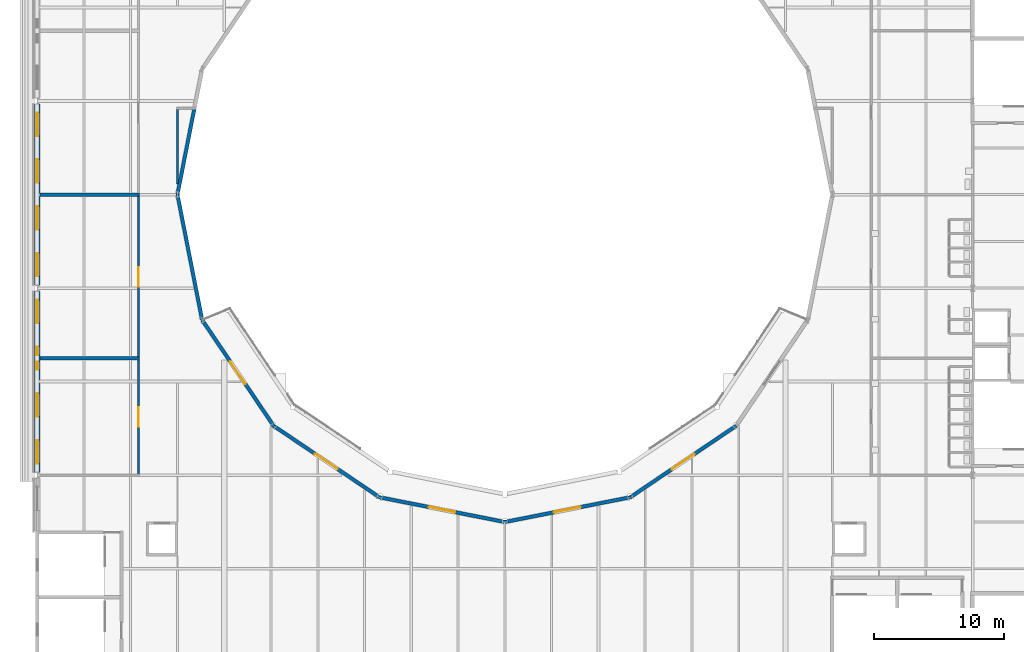
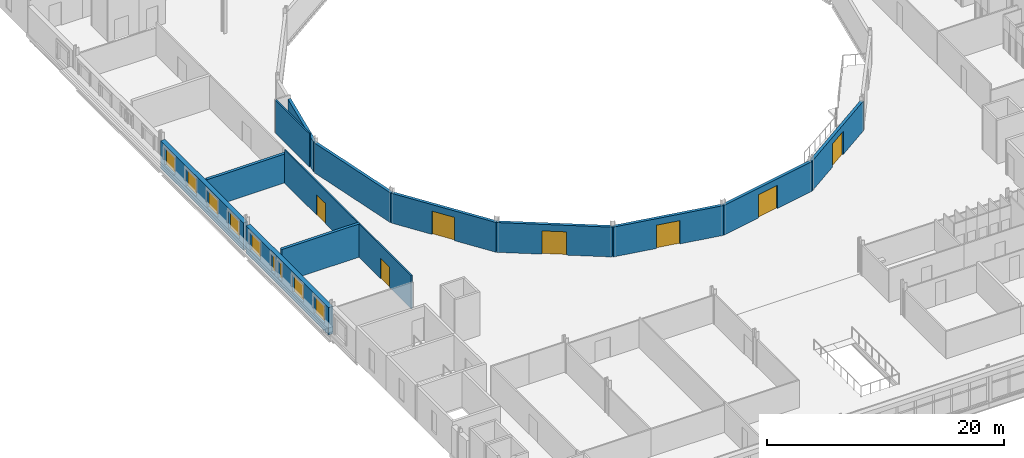
# One storey, part 90 of 142: 14 walls, 9 windows, 7 doors, 16 openings.
"""IFC4 building model written with IfcOpenShell, lengths in metres."""

import ifcopenshell
import ifcopenshell.guid

model = None  # the IFC model being written
_history = None  # IfcOwnerHistory: only IFC2X3 demands one
_inside = {}  # id of a spatial element -> (the spatial element, [elements in it])
_under = {}  # id of a project, library or spatial element -> (it, [spatial elements below it])
_declared = {}  # id of a project -> (the project, [libraries it declares])
_typed = {}  # id of a type object -> (the type object, [elements of that type])
_made_of = {}  # id of a material, layer set ... -> (it, [elements and type objects made of it])


def new_model(schema):
    """Start an empty IFC model of exactly this schema.

    Asked for "IFC4X3", IfcOpenShell would pick the latest addendum, in which some entities
    have other attributes; the version numbers below select the first issue.
    IFC2X3 requires an IfcOwnerHistory on every rooted entity: one is made here for all.
    """
    global model, _history
    if schema == "IFC4X3":
        model = ifcopenshell.file(schema_version=(4, 3, 0, 0))
    else:
        model = ifcopenshell.file(schema=schema)
    _inside.clear()
    _under.clear()
    _declared.clear()
    _typed.clear()
    _made_of.clear()
    _history = None
    if model.schema == "IFC2X3":
        org = make("IfcOrganization", Name="unknown")
        user = make(
            "IfcPersonAndOrganization",
            ThePerson=make("IfcPerson", FamilyName="unknown"),
            TheOrganization=org,
        )
        app = make(
            "IfcApplication",
            ApplicationDeveloper=org,
            Version="unknown",
            ApplicationFullName="unknown",
            ApplicationIdentifier="unknown",
        )
        _history = make(
            "IfcOwnerHistory",
            OwningUser=user,
            OwningApplication=app,
            ChangeAction="ADDED",
            CreationDate=0,
        )
    return model


def make(cls, **values):
    """One entity of the class cls with the attributes given. An attribute that is None is left unset."""
    return model.create_entity(
        cls, **{name: value for name, value in values.items() if value is not None}
    )


def rooted(cls, **values):
    """An entity with a GlobalId (a new one), such as an element, a storey or a relation."""
    return make(cls, GlobalId=ifcopenshell.guid.new(), OwnerHistory=_history, **values)


def si_unit(unit_type, name, prefix=None):
    """IfcSIUnit, for example si_unit("LENGTHUNIT", "METRE", prefix="MILLI")."""
    return make("IfcSIUnit", UnitType=unit_type, Prefix=prefix, Name=name)


def assignment(units):
    """IfcUnitAssignment: the units of a project."""
    return None if units is None else make("IfcUnitAssignment", Units=units)


def point(xyz):
    """IfcCartesianPoint."""
    return None if xyz is None else make("IfcCartesianPoint", Coordinates=xyz)


def direction(xyz):
    """IfcDirection."""
    return None if xyz is None else make("IfcDirection", DirectionRatios=xyz)


def frame(location, z_axis=None, x_axis=None):
    """IfcAxis2Placement3D, a coordinate frame: its origin and axes. An axis left out is left unset."""
    return make(
        "IfcAxis2Placement3D",
        Location=point(location),
        Axis=direction(z_axis),
        RefDirection=direction(x_axis),
    )


def frame_2d(location, x_axis=None):
    """IfcAxis2Placement2D, a coordinate frame in the plane: its origin and x axis."""
    return make(
        "IfcAxis2Placement2D", Location=point(location), RefDirection=direction(x_axis)
    )


def origin():
    """The frame at (0, 0, 0) with its axes left unset."""
    return frame((0.0, 0.0, 0.0))


def place(relative_to, where):
    """IfcLocalPlacement: puts the frame where relative to a parent placement (None: the world)."""
    return make(
        "IfcLocalPlacement", PlacementRelTo=relative_to, RelativePlacement=where
    )


def context(
    kind, dimensions, precision=None, world=None, true_north=None, identifier=None
):
    """IfcGeometricRepresentationContext, for example the 3D "Model" context."""
    return make(
        "IfcGeometricRepresentationContext",
        ContextIdentifier=identifier,
        ContextType=kind,
        CoordinateSpaceDimension=dimensions,
        Precision=precision,
        WorldCoordinateSystem=world,
        TrueNorth=true_north,
    )


def subcontext(parent, identifier, kind, view, scale=None):
    """IfcGeometricRepresentationSubContext, for example "Body" below "Model"."""
    return make(
        "IfcGeometricRepresentationSubContext",
        ContextIdentifier=identifier,
        ContextType=kind,
        ParentContext=parent,
        TargetScale=scale,
        TargetView=view,
    )


def project(units=None, contexts=None):
    """IfcProject with its units and contexts."""
    return rooted(
        "IfcProject",
        Name="project",
        RepresentationContexts=contexts,
        UnitsInContext=assignment(units),
    )


def spatial(cls, under=None, at=None, **own):
    """A site, building, storey or space (cls), placed at a placement, below another one or the project."""
    s = rooted(cls, ObjectPlacement=at, **own)
    if under is not None:
        _under.setdefault(under.id(), (under, []))[1].append(s)
    return s


def profile(cls, at=None, kind="AREA", **sizes):
    """A parametric profile (cls). Its sizes go by their IFC names, for example OverallWidth=200.0."""
    return make(cls, ProfileType=kind, Position=at, **sizes)


def rectangle(**sizes):
    """IfcRectangleProfileDef."""
    return profile("IfcRectangleProfileDef", **sizes)


def extrude(swept, where, along, depth):
    """IfcExtrudedAreaSolid: the profile swept, set in the frame where, extruded along a direction by depth."""
    return make(
        "IfcExtrudedAreaSolid",
        SweptArea=swept,
        Position=where,
        ExtrudedDirection=direction(along),
        Depth=depth,
    )


def shape(context_of_items, identifier, shape_type, items):
    """IfcShapeRepresentation: the items that make up one representation, for example the "Body"."""
    return make(
        "IfcShapeRepresentation",
        ContextOfItems=context_of_items,
        RepresentationIdentifier=identifier,
        RepresentationType=shape_type,
        Items=items,
    )


def material(Name=None, Category=None):
    """IfcMaterial."""
    return make("IfcMaterial", Name=Name, Category=Category)


def layer(
    of_material, thickness, ventilated=None, Name=None, Category=None, Priority=None
):
    """IfcMaterialLayer: one layer of a wall or slab, of a material (None: an air gap)."""
    return make(
        "IfcMaterialLayer",
        Material=of_material,
        LayerThickness=thickness,
        IsVentilated=ventilated,
        Name=Name,
        Category=Category,
        Priority=Priority,
    )


def layer_set(layers, Name=None):
    """IfcMaterialLayerSet."""
    return make("IfcMaterialLayerSet", MaterialLayers=layers, LayerSetName=Name)


def made_of(thing, what):
    """Note that an element or type object is made of a material, layer set ...; save() writes the relation."""
    if what is not None:
        _made_of.setdefault(what.id(), (what, []))[1].append(thing)
    return thing


def type_object(cls, material=None, **own):
    """A type object (cls), such as IfcWallType, which elements share."""
    return made_of(rooted(cls, **own), material)


def element(
    cls,
    number,
    at=None,
    inside=None,
    cuts=None,
    type_object=None,
    material=None,
    context=None,
    identifier="Body",
    shape_type=None,
    held_by="IfcProductDefinitionShape",
    body=None,
    shapes=None,
    **own,
):
    """One element of the class cls, such as IfcWall. Its Tag is "e" and its number.

    at: its placement. inside: the storey or other place that contains it. cuts: it is an
    opening in that element (IfcRelVoidsElement). A single representation is given by context,
    identifier, shape_type and body (its items); several are given by shapes. held_by: the class
    of the entity that holds the representations. save() writes the other relations.
    """
    e = rooted(cls, Tag="e%d" % number, ObjectPlacement=at, **own)
    if body is not None:
        shapes = [shape(context, identifier, shape_type, body)]
    if shapes is not None:
        e.Representation = make(held_by, Representations=shapes)
    if inside is not None:
        _inside.setdefault(inside.id(), (inside, []))[1].append(e)
    if cuts is not None:
        rooted(
            "IfcRelVoidsElement", RelatingBuildingElement=cuts, RelatedOpeningElement=e
        )
    if type_object is not None:
        _typed.setdefault(type_object.id(), (type_object, []))[1].append(e)
    return made_of(e, material)


def fill(opening, filler):
    """IfcRelFillsElement: the door or window that sits in an opening."""
    return rooted(
        "IfcRelFillsElement",
        RelatingOpeningElement=opening,
        RelatedBuildingElement=filler,
    )


def aggregate(whole, parts):
    """IfcRelAggregates: a whole, such as a stair, and the parts it consists of."""
    return rooted("IfcRelAggregates", RelatingObject=whole, RelatedObjects=parts)


def save(model, path):
    """Write the relations noted so far, then the file.

    IfcRelAggregates (storeys below a building ...), IfcRelContainedInSpatialStructure (elements
    in a storey), IfcRelDefinesByType, IfcRelAssociatesMaterial and IfcRelDeclares: one each for
    every whole, place, type object, material and project.
    """
    for whole, parts in _under.values():
        aggregate(whole, parts)
    for where, things in _inside.values():
        rooted(
            "IfcRelContainedInSpatialStructure",
            RelatedElements=things,
            RelatingStructure=where,
        )
    for kind, things in _typed.values():
        rooted("IfcRelDefinesByType", RelatedObjects=things, RelatingType=kind)
    for what, things in _made_of.values():
        rooted("IfcRelAssociatesMaterial", RelatedObjects=things, RelatingMaterial=what)
    for by, libraries in _declared.values():
        rooted("IfcRelDeclares", RelatingContext=by, RelatedDefinitions=libraries)
    model.write(path)


model = new_model("IFC4")

# Units and contexts
model_context = context("Model", 3, precision=1e-05, world=origin(), true_north=direction((0.0, 1.0)))
body_context = subcontext(model_context, "Body", "Model", "MODEL_VIEW")
ifc_project = project(units=[si_unit("LENGTHUNIT", "METRE"), si_unit("AREAUNIT", "SQUARE_METRE"), si_unit("VOLUMEUNIT", "CUBIC_METRE"), si_unit("PLANEANGLEUNIT", "RADIAN"), si_unit("MASSUNIT", "GRAM", prefix="KILO")], contexts=[model_context])

# Site, building, storey
site_placement = place(None, origin())
site = spatial("IfcSite", under=ifc_project, at=site_placement, CompositionType="ELEMENT")
building_placement = place(site_placement, origin())
building = spatial("IfcBuilding", under=site, at=building_placement, Name="Kupolbacken Congress Centre", CompositionType="ELEMENT")
storey_placement = place(building_placement, frame((0.0, 0.0, 14.39990234375)))
storey = spatial("IfcBuildingStorey", under=building, at=storey_placement, Name="L04", CompositionType="ELEMENT", Elevation=14.39990234375)

# Wall, openings, windows
ifc_material_1 = material(Name="Limestone", Category="masonry")
ifc_layer_1 = layer(ifc_material_1, 0.1201171875)
ifc_material_2 = material(Name="Air cavity", Category="air")
ifc_layer_2 = layer(ifc_material_2, 0.0400390625, ventilated=True)
ifc_material_3 = material(Name="Mineral wool", Category="insulation")
ifc_layer_3 = layer(ifc_material_3, 0.159912109375)
ifc_material_4 = material(Name="Concrete block", Category="masonry")
ifc_layer_4 = layer(ifc_material_4, 0.1201171875)
ifc_layer_set_1 = layer_set([ifc_layer_1, ifc_layer_2, ifc_layer_3, ifc_layer_4], Name="Limestone / Mineral wool / Concrete block")
wall_type_1 = type_object("IfcWallType", Name="EW05 external cavity wall 440", PredefinedType="SOLIDWALL", material=ifc_layer_set_1)
wall_1_placement = place(storey_placement, frame((7.199951171875, 93.375, 0.0), z_axis=(0.0, 0.0, 1.0), x_axis=(0.0, -1.0, 0.0)))
wall_1 = element("IfcWall", 1, at=wall_1_placement, inside=storey, type_object=wall_type_1, Name="E/P/W/L04/452", PredefinedType="SOLIDWALL", context=body_context, shape_type="SweptSolid", body=[
    extrude(rectangle(XDim=13.949951171875, YDim=0.43994140625, at=frame_2d((6.97509765625, 0.0))), origin(), (0.0, 0.0, 1.0), 2.820068359375),
])
opening_1_placement = place(wall_1_placement, frame((11.47509765625, 0.0, 0.75)))
opening_1 = element("IfcOpeningElement", 2, at=opening_1_placement, cuts=wall_1, Name="Opening W7", PredefinedType="OPENING", context=body_context, shape_type="SweptSolid", body=[
    extrude(rectangle(XDim=1.800048828125, YDim=1.800048828125, at=frame_2d((0.89990234375, 0.89990234375))), frame((0.0, 0.22998046875, 0.0), z_axis=(0.0, -1.0, 0.0), x_axis=(1.0, 0.0, 0.0)), (0.0, 0.0, 1.0), 0.4599609375),
])
opening_2_placement = place(wall_1_placement, frame((7.875, 0.0, 0.75)))
opening_2 = element("IfcOpeningElement", 3, at=opening_2_placement, cuts=wall_1, Name="Opening W7", PredefinedType="OPENING", context=body_context, shape_type="SweptSolid", body=[
    extrude(rectangle(XDim=1.800048828125, YDim=1.800048828125, at=frame_2d((0.89990234375, 0.89990234375))), frame((0.0, 0.22998046875, 0.0), z_axis=(0.0, -1.0, 0.0), x_axis=(1.0, 0.0, 0.0)), (0.0, 0.0, 1.0), 0.4599609375),
])
opening_3_placement = place(wall_1_placement, frame((4.27490234375, 0.0, 0.75)))
opening_3 = element("IfcOpeningElement", 4, at=opening_3_placement, cuts=wall_1, Name="Opening W7", PredefinedType="OPENING", context=body_context, shape_type="SweptSolid", body=[
    extrude(rectangle(XDim=1.800048828125, YDim=1.800048828125, at=frame_2d((0.89990234375, 0.89990234375))), frame((0.0, 0.22998046875, 0.0), z_axis=(0.0, -1.0, 0.0), x_axis=(1.0, 0.0, 0.0)), (0.0, 0.0, 1.0), 0.4599609375),
])
opening_4_placement = place(wall_1_placement, frame((0.675048828125, 0.0, 0.75)))
opening_4 = element("IfcOpeningElement", 5, at=opening_4_placement, cuts=wall_1, Name="Opening W7", PredefinedType="OPENING", context=body_context, shape_type="SweptSolid", body=[
    extrude(rectangle(XDim=1.800048828125, YDim=1.800048828125, at=frame_2d((0.89990234375, 0.89990234375))), frame((0.0, 0.22998046875, 0.0), z_axis=(0.0, -1.0, 0.0), x_axis=(1.0, 0.0, 0.0)), (0.0, 0.0, 1.0), 0.4599609375),
])
ifc_material_5 = material(Name="Aluminium frame with double or triple glazing", Category="aluminium")
window_type_1 = type_object("IfcWindowType", Name="W7 window 1800x1800", PartitioningType="DOUBLE_PANEL_VERTICAL", PredefinedType="WINDOW", material=ifc_material_5)
window_1_placement = place(opening_1_placement, origin())
window_1 = element("IfcWindow", 6, at=window_1_placement, inside=storey, type_object=window_type_1, Name="E/P/W/L04/452/W1", OverallHeight=1.800048828125, OverallWidth=1.800048828125, PartitioningType="SINGLE_PANEL", PredefinedType="WINDOW", context=body_context, shape_type="SweptSolid", body=[
    extrude(rectangle(XDim=1.800048828125, YDim=1.800048828125, at=frame_2d((0.89990234375, 0.89990234375))), frame((0.0, 0.030029296875, 0.0), z_axis=(0.0, -1.0, 0.0), x_axis=(1.0, 0.0, 0.0)), (0.0, 0.0, 1.0), 0.06005859375),
])
fill(opening_1, window_1)
window_2_placement = place(opening_2_placement, origin())
window_2 = element("IfcWindow", 7, at=window_2_placement, inside=storey, type_object=window_type_1, Name="E/P/W/L04/452/W2", OverallHeight=1.800048828125, OverallWidth=1.800048828125, PartitioningType="SINGLE_PANEL", PredefinedType="WINDOW", context=body_context, shape_type="SweptSolid", body=[
    extrude(rectangle(XDim=1.800048828125, YDim=1.800048828125, at=frame_2d((0.89990234375, 0.89990234375))), frame((0.0, 0.030029296875, 0.0), z_axis=(0.0, -1.0, 0.0), x_axis=(1.0, 0.0, 0.0)), (0.0, 0.0, 1.0), 0.06005859375),
])
fill(opening_2, window_2)
window_3_placement = place(opening_3_placement, origin())
window_3 = element("IfcWindow", 8, at=window_3_placement, inside=storey, type_object=window_type_1, Name="E/P/W/L04/452/W3", OverallHeight=1.800048828125, OverallWidth=1.800048828125, PartitioningType="SINGLE_PANEL", PredefinedType="WINDOW", context=body_context, shape_type="SweptSolid", body=[
    extrude(rectangle(XDim=1.800048828125, YDim=1.800048828125, at=frame_2d((0.89990234375, 0.89990234375))), frame((0.0, 0.030029296875, 0.0), z_axis=(0.0, -1.0, 0.0), x_axis=(1.0, 0.0, 0.0)), (0.0, 0.0, 1.0), 0.06005859375),
])
fill(opening_3, window_3)
window_4_placement = place(opening_4_placement, origin())
window_4 = element("IfcWindow", 9, at=window_4_placement, inside=storey, type_object=window_type_1, Name="E/P/W/L04/452/W4", OverallHeight=1.800048828125, OverallWidth=1.800048828125, PartitioningType="SINGLE_PANEL", PredefinedType="WINDOW", context=body_context, shape_type="SweptSolid", body=[
    extrude(rectangle(XDim=1.800048828125, YDim=1.800048828125, at=frame_2d((0.89990234375, 0.89990234375))), frame((0.0, 0.030029296875, 0.0), z_axis=(0.0, -1.0, 0.0), x_axis=(1.0, 0.0, 0.0)), (0.0, 0.0, 1.0), 0.06005859375),
])
fill(opening_4, window_4)

wall_2_placement = place(storey_placement, frame((7.199951171875, 78.97509765625, 0.0), z_axis=(0.0, 0.0, 1.0), x_axis=(0.0, -1.0, 0.0)))
wall_2 = element("IfcWall", 10, at=wall_2_placement, inside=storey, type_object=wall_type_1, Name="E/P/W/L04/453", PredefinedType="SOLIDWALL", context=body_context, shape_type="SweptSolid", body=[
    extrude(rectangle(XDim=13.9501953125, YDim=0.43994140625, at=frame_2d((6.97509765625, 0.0))), origin(), (0.0, 0.0, 1.0), 2.820068359375),
])
opening_5_placement = place(wall_2_placement, frame((11.47509765625, 0.0, 0.75)))
opening_5 = element("IfcOpeningElement", 11, at=opening_5_placement, cuts=wall_2, Name="Opening W7", PredefinedType="OPENING", context=body_context, shape_type="SweptSolid", body=[
    extrude(rectangle(XDim=1.800048828125, YDim=1.800048828125, at=frame_2d((0.89990234375, 0.89990234375))), frame((0.0, 0.22998046875, 0.0), z_axis=(0.0, -1.0, 0.0), x_axis=(1.0, 0.0, 0.0)), (0.0, 0.0, 1.0), 0.4599609375),
])
opening_6_placement = place(wall_2_placement, frame((7.875, 0.0, 0.75)))
opening_6 = element("IfcOpeningElement", 12, at=opening_6_placement, cuts=wall_2, Name="Opening W7", PredefinedType="OPENING", context=body_context, shape_type="SweptSolid", body=[
    extrude(rectangle(XDim=1.800048828125, YDim=1.800048828125, at=frame_2d((0.89990234375, 0.89990234375))), frame((0.0, 0.22998046875, 0.0), z_axis=(0.0, -1.0, 0.0), x_axis=(1.0, 0.0, 0.0)), (0.0, 0.0, 1.0), 0.4599609375),
])
opening_7_placement = place(wall_2_placement, frame((4.27490234375, 0.0, 0.75)))
opening_7 = element("IfcOpeningElement", 13, at=opening_7_placement, cuts=wall_2, Name="Opening W33", PredefinedType="OPENING", context=body_context, shape_type="SweptSolid", body=[
    extrude(rectangle(XDim=0.64990234375, YDim=1.800048828125, at=frame_2d((0.324951171875, 0.89990234375))), frame((0.0, 0.22998046875, 0.0), z_axis=(0.0, -1.0, 0.0), x_axis=(1.0, 0.0, 0.0)), (0.0, 0.0, 1.0), 0.4599609375),
])
opening_8_placement = place(wall_2_placement, frame((5.425048828125, 0.0, 0.75)))
opening_8 = element("IfcOpeningElement", 14, at=opening_8_placement, cuts=wall_2, Name="Opening W33", PredefinedType="OPENING", context=body_context, shape_type="SweptSolid", body=[
    extrude(rectangle(XDim=0.64990234375, YDim=1.800048828125, at=frame_2d((0.324951171875, 0.89990234375))), frame((0.0, 0.22998046875, 0.0), z_axis=(0.0, -1.0, 0.0), x_axis=(1.0, 0.0, 0.0)), (0.0, 0.0, 1.0), 0.4599609375),
])
opening_9_placement = place(wall_2_placement, frame((0.675048828125, 0.0, 0.75)))
opening_9 = element("IfcOpeningElement", 15, at=opening_9_placement, cuts=wall_2, Name="Opening W7", PredefinedType="OPENING", context=body_context, shape_type="SweptSolid", body=[
    extrude(rectangle(XDim=1.800048828125, YDim=1.800048828125, at=frame_2d((0.89990234375, 0.89990234375))), frame((0.0, 0.22998046875, 0.0), z_axis=(0.0, -1.0, 0.0), x_axis=(1.0, 0.0, 0.0)), (0.0, 0.0, 1.0), 0.4599609375),
])
ifc_material_6 = material(Name="Aluminium frame with double or triple glazing", Category="aluminium")
window_type_2 = type_object("IfcWindowType", Name="W33 window 650x1800", PartitioningType="SINGLE_PANEL", PredefinedType="WINDOW", material=ifc_material_6)
window_5_placement = place(opening_7_placement, origin())
window_5 = element("IfcWindow", 16, at=window_5_placement, inside=storey, type_object=window_type_2, Name="E/P/W/L04/453/W3", OverallHeight=1.800048828125, OverallWidth=0.64990234375, PartitioningType="SINGLE_PANEL", PredefinedType="WINDOW", context=body_context, shape_type="SweptSolid", body=[
    extrude(rectangle(XDim=0.64990234375, YDim=1.800048828125, at=frame_2d((0.324951171875, 0.89990234375))), frame((0.0, 0.030029296875, 0.0), z_axis=(0.0, -1.0, 0.0), x_axis=(1.0, 0.0, 0.0)), (0.0, 0.0, 1.0), 0.06005859375),
])
fill(opening_7, window_5)
window_6_placement = place(opening_8_placement, origin())
window_6 = element("IfcWindow", 17, at=window_6_placement, inside=storey, type_object=window_type_2, Name="E/P/W/L04/453/W4", OverallHeight=1.800048828125, OverallWidth=0.64990234375, PartitioningType="SINGLE_PANEL", PredefinedType="WINDOW", context=body_context, shape_type="SweptSolid", body=[
    extrude(rectangle(XDim=0.64990234375, YDim=1.800048828125, at=frame_2d((0.324951171875, 0.89990234375))), frame((0.0, 0.030029296875, 0.0), z_axis=(0.0, -1.0, 0.0), x_axis=(1.0, 0.0, 0.0)), (0.0, 0.0, 1.0), 0.06005859375),
])
fill(opening_8, window_6)
window_7_placement = place(opening_5_placement, origin())
window_7 = element("IfcWindow", 18, at=window_7_placement, inside=storey, type_object=window_type_1, Name="E/P/W/L04/453/W1", OverallHeight=1.800048828125, OverallWidth=1.800048828125, PartitioningType="SINGLE_PANEL", PredefinedType="WINDOW", context=body_context, shape_type="SweptSolid", body=[
    extrude(rectangle(XDim=1.800048828125, YDim=1.800048828125, at=frame_2d((0.89990234375, 0.89990234375))), frame((0.0, 0.030029296875, 0.0), z_axis=(0.0, -1.0, 0.0), x_axis=(1.0, 0.0, 0.0)), (0.0, 0.0, 1.0), 0.06005859375),
])
fill(opening_5, window_7)
window_8_placement = place(opening_6_placement, origin())
window_8 = element("IfcWindow", 19, at=window_8_placement, inside=storey, type_object=window_type_1, Name="E/P/W/L04/453/W2", OverallHeight=1.800048828125, OverallWidth=1.800048828125, PartitioningType="SINGLE_PANEL", PredefinedType="WINDOW", context=body_context, shape_type="SweptSolid", body=[
    extrude(rectangle(XDim=1.800048828125, YDim=1.800048828125, at=frame_2d((0.89990234375, 0.89990234375))), frame((0.0, 0.030029296875, 0.0), z_axis=(0.0, -1.0, 0.0), x_axis=(1.0, 0.0, 0.0)), (0.0, 0.0, 1.0), 0.06005859375),
])
fill(opening_6, window_8)
window_9_placement = place(opening_9_placement, origin())
window_9 = element("IfcWindow", 20, at=window_9_placement, inside=storey, type_object=window_type_1, Name="E/P/W/L04/453/W5", OverallHeight=1.800048828125, OverallWidth=1.800048828125, PartitioningType="SINGLE_PANEL", PredefinedType="WINDOW", context=body_context, shape_type="SweptSolid", body=[
    extrude(rectangle(XDim=1.800048828125, YDim=1.800048828125, at=frame_2d((0.89990234375, 0.89990234375))), frame((0.0, 0.030029296875, 0.0), z_axis=(0.0, -1.0, 0.0), x_axis=(1.0, 0.0, 0.0)), (0.0, 0.0, 1.0), 0.06005859375),
])
fill(opening_9, window_9)

# Wall, opening, door
ifc_material_7 = material(Name="Gypsum board", Category="drywall")
ifc_layer_5 = layer(ifc_material_7, 0.135009765625)
ifc_layer_set_2 = layer_set([ifc_layer_5], Name="Gypsum board")
wall_type_2 = type_object("IfcWallType", Name="P06 compartment wall 135", PredefinedType="PARTITIONING", material=ifc_layer_set_2)
wall_3_placement = place(storey_placement, frame((15.0, 73.66259765625, 0.0), z_axis=(0.0, 0.0, 1.0), x_axis=(0.0, -1.0, 0.0)))
wall_3 = element("IfcWall", 21, at=wall_3_placement, inside=storey, type_object=wall_type_2, Name="PD/L04/W048", PredefinedType="PARTITIONING", context=body_context, shape_type="SweptSolid", body=[
    extrude(rectangle(XDim=8.795166015625, YDim=0.135009765625, at=frame_2d((4.3974609375, 0.0))), origin(), (0.0, 0.0, 1.0), 3.420166015625),
])
opening_10_placement = place(wall_3_placement, frame((3.64990234375, 0.0, 0.0)))
opening_10 = element("IfcOpeningElement", 22, at=opening_10_placement, cuts=wall_3, Name="Opening 4.P09", PredefinedType="OPENING", context=body_context, shape_type="SweptSolid", body=[
    extrude(rectangle(XDim=1.5, YDim=2.10009765625, at=frame_2d((0.75, 1.050048828125))), frame((0.0, 0.077392578125, 0.0), z_axis=(0.0, -1.0, 0.0), x_axis=(1.0, 0.0, 0.0)), (0.0, 0.0, 1.0), 0.155029296875),
])
ifc_material_8 = material(Name="Steel fire door leaf", Category="steel")
door_type_1 = type_object("IfcDoorType", Name="D12 fire door 1500x2100", OperationType="DOUBLE_DOOR_SINGLE_SWING", PredefinedType="DOOR", material=ifc_material_8)
door_1_placement = place(opening_10_placement, frame((1.5, 0.0, 0.0), z_axis=(0.0, 0.0, 1.0), x_axis=(-1.0, 0.0, 0.0)))
door_1 = element("IfcDoor", 23, at=door_1_placement, inside=storey, type_object=door_type_1, Name="PD/L04/W048/D4P09", OperationType="DOUBLE_DOOR_SINGLE_SWING", OverallHeight=2.10009765625, OverallWidth=1.5, PredefinedType="DOOR", context=body_context, shape_type="SweptSolid", body=[
    extrude(rectangle(XDim=1.5, YDim=2.10009765625, at=frame_2d((0.75, 1.050048828125))), frame((0.0, 0.02490234375, 0.0), z_axis=(0.0, -1.0, 0.0), x_axis=(1.0, 0.0, 0.0)), (0.0, 0.0, 1.0), 0.050048828125),
])
fill(opening_10, door_1)

wall_4_placement = place(storey_placement, frame((15.0, 86.262451171875, 0.0), z_axis=(0.0, 0.0, 1.0), x_axis=(0.0, -1.0, 0.0)))
wall_4 = element("IfcWall", 24, at=wall_4_placement, inside=storey, type_object=wall_type_2, Name="PD/L04/W051", PredefinedType="PARTITIONING", context=body_context, shape_type="SweptSolid", body=[
    extrude(rectangle(XDim=12.324951171875, YDim=0.135009765625, at=frame_2d((6.16259765625, 0.0))), origin(), (0.0, 0.0, 1.0), 3.420166015625),
])
opening_11_placement = place(wall_4_placement, frame((5.449951171875, 0.0, 0.0)))
opening_11 = element("IfcOpeningElement", 25, at=opening_11_placement, cuts=wall_4, Name="Opening 4.P10", PredefinedType="OPENING", context=body_context, shape_type="SweptSolid", body=[
    extrude(rectangle(XDim=1.5, YDim=2.10009765625, at=frame_2d((0.75, 1.050048828125))), frame((0.0, 0.077392578125, 0.0), z_axis=(0.0, -1.0, 0.0), x_axis=(1.0, 0.0, 0.0)), (0.0, 0.0, 1.0), 0.155029296875),
])
door_2_placement = place(opening_11_placement, origin())
door_2 = element("IfcDoor", 26, at=door_2_placement, inside=storey, type_object=door_type_1, Name="PD/L04/W051/D4P10", OperationType="DOUBLE_DOOR_SINGLE_SWING", OverallHeight=2.10009765625, OverallWidth=1.5, PredefinedType="DOOR", context=body_context, shape_type="SweptSolid", body=[
    extrude(rectangle(XDim=1.5, YDim=2.10009765625, at=frame_2d((0.75, 1.050048828125))), frame((0.0, 0.02490234375, 0.0), z_axis=(0.0, -1.0, 0.0), x_axis=(1.0, 0.0, 0.0)), (0.0, 0.0, 1.0), 0.050048828125),
])
fill(opening_11, door_2)

# Walls
wall_5_placement = place(storey_placement, frame((18.0, 92.982421875, 0.0), z_axis=(0.0, 0.0, 1.0), x_axis=(0.0, -1.0, 0.0)))
element("IfcWall", 27, at=wall_5_placement, inside=storey, type_object=wall_type_2, Name="PD/L04/W063", PredefinedType="PARTITIONING", context=body_context, shape_type="SweptSolid", body=[
    extrude(rectangle(XDim=5.732421875, YDim=0.135009765625, at=frame_2d((2.8662109375, 0.0))), origin(), (0.0, 0.0, 1.0), 3.420166015625),
])
ifc_material_9 = material(Name="Gypsum board", Category="drywall")
ifc_layer_6 = layer(ifc_material_9, 0.27490234375)
ifc_layer_set_3 = layer_set([ifc_layer_6], Name="Gypsum board")
wall_type_3 = type_object("IfcWallType", Name="P12 partition 275", PredefinedType="PARTITIONING", material=ifc_layer_set_3)
wall_6_placement = place(storey_placement, frame((7.419921875, 73.800048828125, 0.0), z_axis=(0.0, 0.0, 1.0), x_axis=(1.0, 0.0, 0.0)))
element("IfcWall", 28, at=wall_6_placement, inside=storey, type_object=wall_type_3, Name="PD/L04/W047", PredefinedType="PARTITIONING", context=body_context, shape_type="SweptSolid", body=[
    extrude(rectangle(XDim=7.6474609375, YDim=0.27490234375, at=frame_2d((3.82373046875, 0.0))), origin(), (0.0, 0.0, 1.0), 3.420166015625),
])
wall_7_placement = place(storey_placement, frame((7.419921875, 86.39990234375, 0.0), z_axis=(0.0, 0.0, 1.0), x_axis=(1.0, 0.0, 0.0)))
element("IfcWall", 29, at=wall_7_placement, inside=storey, type_object=wall_type_3, Name="PD/L04/W050", PredefinedType="PARTITIONING", context=body_context, shape_type="SweptSolid", body=[
    extrude(rectangle(XDim=7.6474609375, YDim=0.27490234375, at=frame_2d((3.82373046875, 0.0))), origin(), (0.0, 0.0, 1.0), 2.968994140625),
])
wall_8_placement = place(storey_placement, frame((18.0, 86.39990234375, 0.0), z_axis=(0.0, 0.0, 1.0), x_axis=(0.193174651092, -0.981164386928, 0.0)))
element("IfcWall", 30, at=wall_8_placement, inside=storey, type_object=wall_type_3, Name="PD/L04/W076", PredefinedType="PARTITIONING", context=body_context, shape_type="SweptSolid", body=[
    extrude(rectangle(XDim=9.835205078125, YDim=0.27490234375, at=frame_2d((4.91748046875, 0.0))), origin(), (0.0, 0.0, 1.0), 3.070068359375),
])

# Wall, opening, door
wall_9_placement = place(storey_placement, frame((19.89990234375, 76.75, 0.0), z_axis=(0.0, 0.0, 1.0), x_axis=(0.559390118145, -0.828904515443, 0.0)))
wall_9 = element("IfcWall", 31, at=wall_9_placement, inside=storey, type_object=wall_type_3, Name="PD/L04/W077", PredefinedType="PARTITIONING", context=body_context, shape_type="SweptSolid", body=[
    extrude(rectangle(XDim=9.83203125, YDim=0.27490234375, at=frame_2d((4.916015625, 0.0))), origin(), (0.0, 0.0, 1.0), 3.070068359375),
])
opening_12_placement = place(wall_9_placement, frame((3.85009765625, 0.0, 0.0)))
opening_12 = element("IfcOpeningElement", 32, at=opening_12_placement, cuts=wall_9, Name="Opening 4.P21", PredefinedType="OPENING", context=body_context, shape_type="SweptSolid", body=[
    extrude(rectangle(XDim=2.10009765625, YDim=2.39990234375, at=frame_2d((1.050048828125, 1.199951171875))), frame((0.0, 0.1474609375, 0.0), z_axis=(0.0, -1.0, 0.0), x_axis=(1.0, 0.0, 0.0)), (0.0, 0.0, 1.0), 0.294921875),
])
ifc_material_10 = material(Name="Steel fire door leaf", Category="steel")
door_type_2 = type_object("IfcDoorType", Name="D17 fire door 2100x2400", OperationType="DOUBLE_DOOR_SINGLE_SWING", PredefinedType="DOOR", material=ifc_material_10)
door_3_placement = place(opening_12_placement, frame((2.10009765625, 0.0, 0.0), z_axis=(0.0, 0.0, 1.0), x_axis=(-1.0, 0.0, 0.0)))
door_3 = element("IfcDoor", 33, at=door_3_placement, inside=storey, type_object=door_type_2, Name="PD/L04/W077/D4P21", OperationType="DOUBLE_DOOR_SINGLE_SWING", OverallHeight=2.39990234375, OverallWidth=2.10009765625, PredefinedType="DOOR", context=body_context, shape_type="SweptSolid", body=[
    extrude(rectangle(XDim=2.10009765625, YDim=2.39990234375, at=frame_2d((1.050048828125, 1.199951171875))), frame((0.0, 0.02490234375, 0.0), z_axis=(0.0, -1.0, 0.0), x_axis=(1.0, 0.0, 0.0)), (0.0, 0.0, 1.0), 0.050048828125),
])
fill(opening_12, door_3)

wall_10_placement = place(storey_placement, frame((25.39990234375, 68.60009765625, 0.0), z_axis=(0.0, 0.0, 1.0), x_axis=(0.828912285216, -0.559378604719, 0.0)))
wall_10 = element("IfcWall", 34, at=wall_10_placement, inside=storey, type_object=wall_type_3, Name="PD/L04/W078", PredefinedType="PARTITIONING", context=body_context, shape_type="SweptSolid", body=[
    extrude(rectangle(XDim=9.832275390625, YDim=0.27490234375, at=frame_2d((4.916015625, 0.0))), origin(), (0.0, 0.0, 1.0), 3.070068359375),
])
opening_13_placement = place(wall_10_placement, frame((3.85009765625, 0.0, 0.0)))
opening_13 = element("IfcOpeningElement", 35, at=opening_13_placement, cuts=wall_10, Name="Opening 4.P22", PredefinedType="OPENING", context=body_context, shape_type="SweptSolid", body=[
    extrude(rectangle(XDim=2.10009765625, YDim=2.39990234375, at=frame_2d((1.050048828125, 1.199951171875))), frame((0.0, 0.1474609375, 0.0), z_axis=(0.0, -1.0, 0.0), x_axis=(1.0, 0.0, 0.0)), (0.0, 0.0, 1.0), 0.294921875),
])
door_4_placement = place(opening_13_placement, frame((2.10009765625, 0.0, 0.0), z_axis=(0.0, 0.0, 1.0), x_axis=(-1.0, 0.0, 0.0)))
door_4 = element("IfcDoor", 36, at=door_4_placement, inside=storey, type_object=door_type_2, Name="PD/L04/W078/D4P22", OperationType="DOUBLE_DOOR_SINGLE_SWING", OverallHeight=2.39990234375, OverallWidth=2.10009765625, PredefinedType="DOOR", context=body_context, shape_type="SweptSolid", body=[
    extrude(rectangle(XDim=2.10009765625, YDim=2.39990234375, at=frame_2d((1.050048828125, 1.199951171875))), frame((0.0, 0.02490234375, 0.0), z_axis=(0.0, -1.0, 0.0), x_axis=(1.0, 0.0, 0.0)), (0.0, 0.0, 1.0), 0.050048828125),
])
fill(opening_13, door_4)

wall_11_placement = place(storey_placement, frame((33.550048828125, 63.10009765625, 0.0), z_axis=(0.0, 0.0, 1.0), x_axis=(0.981159681755, -0.19319854787, 0.0)))
wall_11 = element("IfcWall", 37, at=wall_11_placement, inside=storey, type_object=wall_type_3, Name="PD/L04/W079", PredefinedType="PARTITIONING", context=body_context, shape_type="SweptSolid", body=[
    extrude(rectangle(XDim=9.835205078125, YDim=0.27490234375, at=frame_2d((4.91748046875, 0.0))), origin(), (0.0, 0.0, 1.0), 3.070068359375),
])
opening_14_placement = place(wall_11_placement, frame((3.85009765625, 0.0, 0.0)))
opening_14 = element("IfcOpeningElement", 38, at=opening_14_placement, cuts=wall_11, Name="Opening 4.P23", PredefinedType="OPENING", context=body_context, shape_type="SweptSolid", body=[
    extrude(rectangle(XDim=2.10009765625, YDim=2.39990234375, at=frame_2d((1.050048828125, 1.199951171875))), frame((0.0, 0.1474609375, 0.0), z_axis=(0.0, -1.0, 0.0), x_axis=(1.0, 0.0, 0.0)), (0.0, 0.0, 1.0), 0.294921875),
])
door_5_placement = place(opening_14_placement, frame((2.10009765625, 0.0, 0.0), z_axis=(0.0, 0.0, 1.0), x_axis=(-1.0, 0.0, 0.0)))
door_5 = element("IfcDoor", 39, at=door_5_placement, inside=storey, type_object=door_type_2, Name="PD/L04/W079/D4P23", OperationType="DOUBLE_DOOR_SINGLE_SWING", OverallHeight=2.39990234375, OverallWidth=2.10009765625, PredefinedType="DOOR", context=body_context, shape_type="SweptSolid", body=[
    extrude(rectangle(XDim=2.10009765625, YDim=2.39990234375, at=frame_2d((1.050048828125, 1.199951171875))), frame((0.0, 0.02490234375, 0.0), z_axis=(0.0, -1.0, 0.0), x_axis=(1.0, 0.0, 0.0)), (0.0, 0.0, 1.0), 0.050048828125),
])
fill(opening_14, door_5)

wall_12_placement = place(storey_placement, frame((43.199951171875, 61.199951171875, 0.0), z_axis=(0.0, 0.0, 1.0), x_axis=(0.981160608262, 0.193193842541, 0.0)))
wall_12 = element("IfcWall", 40, at=wall_12_placement, inside=storey, type_object=wall_type_3, Name="PD/L04/W080", PredefinedType="PARTITIONING", context=body_context, shape_type="SweptSolid", body=[
    extrude(rectangle(XDim=9.83544921875, YDim=0.27490234375, at=frame_2d((4.917724609375, 0.0))), origin(), (0.0, 0.0, 1.0), 3.070068359375),
])
opening_15_placement = place(wall_12_placement, frame((3.85009765625, 0.0, 0.0)))
opening_15 = element("IfcOpeningElement", 41, at=opening_15_placement, cuts=wall_12, Name="Opening 4.P24", PredefinedType="OPENING", context=body_context, shape_type="SweptSolid", body=[
    extrude(rectangle(XDim=2.10009765625, YDim=2.39990234375, at=frame_2d((1.050048828125, 1.199951171875))), frame((0.0, 0.1474609375, 0.0), z_axis=(0.0, -1.0, 0.0), x_axis=(1.0, 0.0, 0.0)), (0.0, 0.0, 1.0), 0.294921875),
])
door_6_placement = place(opening_15_placement, frame((2.10009765625, 0.0, 0.0), z_axis=(0.0, 0.0, 1.0), x_axis=(-1.0, 0.0, 0.0)))
door_6 = element("IfcDoor", 42, at=door_6_placement, inside=storey, type_object=door_type_2, Name="PD/L04/W080/D4P24", OperationType="DOUBLE_DOOR_SINGLE_SWING", OverallHeight=2.39990234375, OverallWidth=2.10009765625, PredefinedType="DOOR", context=body_context, shape_type="SweptSolid", body=[
    extrude(rectangle(XDim=2.10009765625, YDim=2.39990234375, at=frame_2d((1.050048828125, 1.199951171875))), frame((0.0, 0.02490234375, 0.0), z_axis=(0.0, -1.0, 0.0), x_axis=(1.0, 0.0, 0.0)), (0.0, 0.0, 1.0), 0.050048828125),
])
fill(opening_15, door_6)

wall_13_placement = place(storey_placement, frame((52.85009765625, 63.10009765625, 0.0), z_axis=(0.0, 0.0, 1.0), x_axis=(0.828904515443, 0.559390118145, 0.0)))
wall_13 = element("IfcWall", 43, at=wall_13_placement, inside=storey, type_object=wall_type_3, Name="PD/L04/W081", PredefinedType="PARTITIONING", context=body_context, shape_type="SweptSolid", body=[
    extrude(rectangle(XDim=9.83203125, YDim=0.27490234375, at=frame_2d((4.916015625, 0.0))), origin(), (0.0, 0.0, 1.0), 3.070068359375),
])
opening_16_placement = place(wall_13_placement, frame((3.85009765625, 0.0, 0.0)))
opening_16 = element("IfcOpeningElement", 44, at=opening_16_placement, cuts=wall_13, Name="Opening 4.P25", PredefinedType="OPENING", context=body_context, shape_type="SweptSolid", body=[
    extrude(rectangle(XDim=2.10009765625, YDim=2.39990234375, at=frame_2d((1.050048828125, 1.199951171875))), frame((0.0, 0.1474609375, 0.0), z_axis=(0.0, -1.0, 0.0), x_axis=(1.0, 0.0, 0.0)), (0.0, 0.0, 1.0), 0.294921875),
])
door_7_placement = place(opening_16_placement, frame((2.10009765625, 0.0, 0.0), z_axis=(0.0, 0.0, 1.0), x_axis=(-1.0, 0.0, 0.0)))
door_7 = element("IfcDoor", 45, at=door_7_placement, inside=storey, type_object=door_type_2, Name="PD/L04/W081/D4P25", OperationType="DOUBLE_DOOR_SINGLE_SWING", OverallHeight=2.39990234375, OverallWidth=2.10009765625, PredefinedType="DOOR", context=body_context, shape_type="SweptSolid", body=[
    extrude(rectangle(XDim=2.10009765625, YDim=2.39990234375, at=frame_2d((1.050048828125, 1.199951171875))), frame((0.0, 0.02490234375, 0.0), z_axis=(0.0, -1.0, 0.0), x_axis=(1.0, 0.0, 0.0)), (0.0, 0.0, 1.0), 0.050048828125),
])
fill(opening_16, door_7)

# Wall
wall_14_placement = place(storey_placement, frame((19.29638671875, 92.98388671875, 0.0), z_axis=(0.0, 0.0, 1.0), x_axis=(-0.193190675653, -0.981161231827, 0.0)))
element("IfcWall", 46, at=wall_14_placement, inside=storey, type_object=wall_type_3, Name="PD/L04/W091", PredefinedType="PARTITIONING", context=body_context, shape_type="SweptSolid", body=[
    extrude(rectangle(XDim=6.71044921875, YDim=0.27490234375, at=frame_2d((3.355224609375, 0.0))), origin(), (0.0, 0.0, 1.0), 3.070068359375),
])

save(model, "model.ifc")
